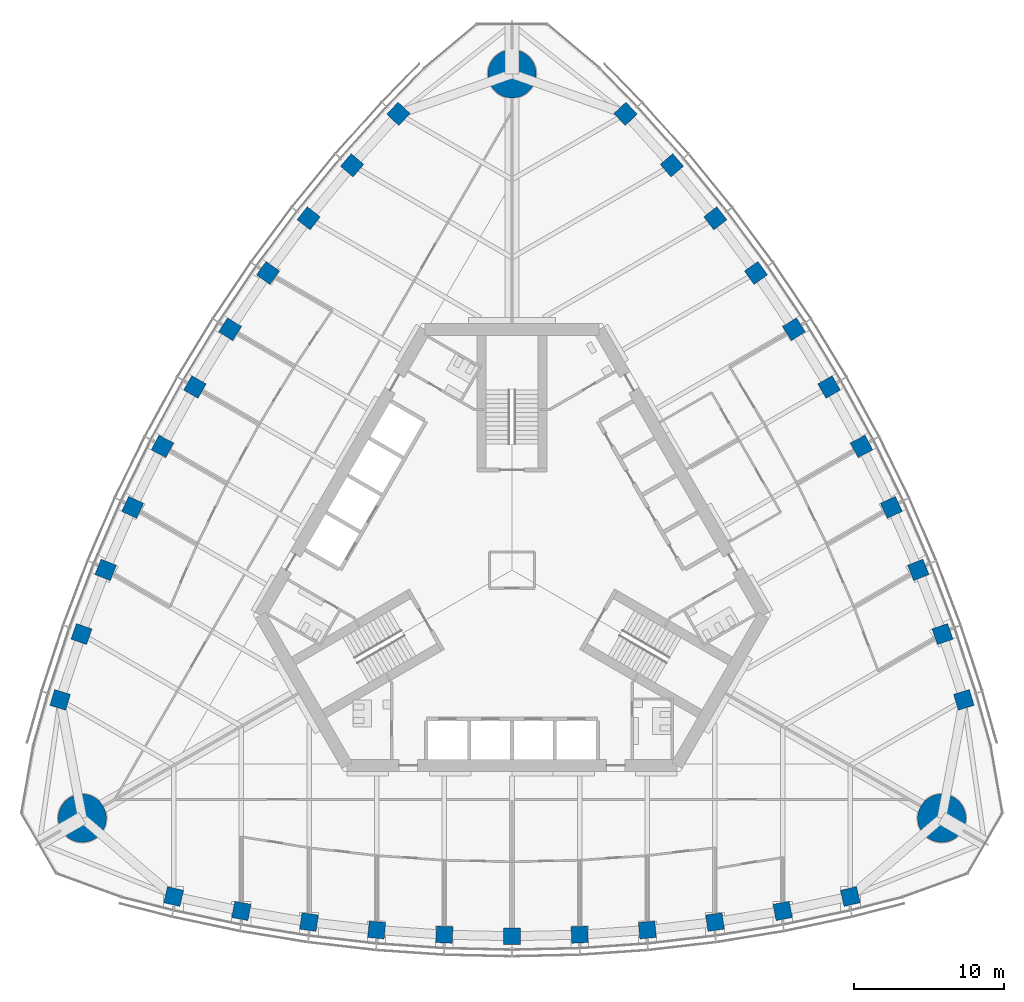
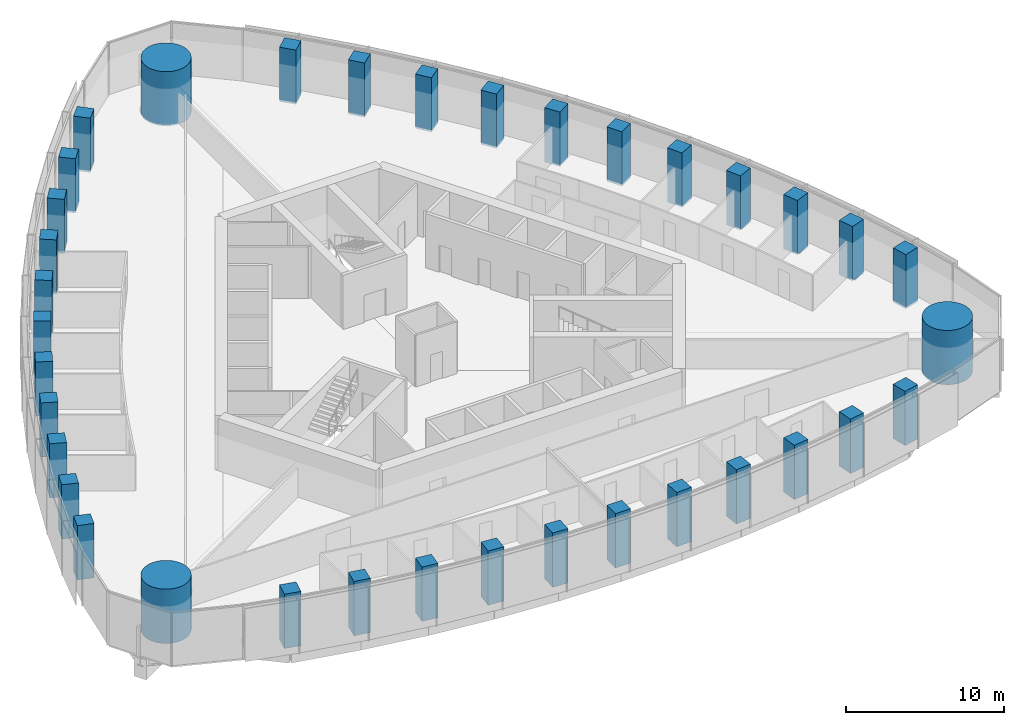
# One storey, part 1 of 20: 36 columns.
"""IFC4 building model written with IfcOpenShell, lengths in metres."""

import ifcopenshell
import ifcopenshell.guid

model = None  # the IFC model being written
_history = None  # IfcOwnerHistory: only IFC2X3 demands one
_inside = {}  # id of a spatial element -> (the spatial element, [elements in it])
_under = {}  # id of a project, library or spatial element -> (it, [spatial elements below it])
_declared = {}  # id of a project -> (the project, [libraries it declares])
_typed = {}  # id of a type object -> (the type object, [elements of that type])
_made_of = {}  # id of a material, layer set ... -> (it, [elements and type objects made of it])


def new_model(schema):
    """Start an empty IFC model of exactly this schema.

    Asked for "IFC4X3", IfcOpenShell would pick the latest addendum, in which some entities
    have other attributes; the version numbers below select the first issue.
    IFC2X3 requires an IfcOwnerHistory on every rooted entity: one is made here for all.
    """
    global model, _history
    if schema == "IFC4X3":
        model = ifcopenshell.file(schema_version=(4, 3, 0, 0))
    else:
        model = ifcopenshell.file(schema=schema)
    _inside.clear()
    _under.clear()
    _declared.clear()
    _typed.clear()
    _made_of.clear()
    _history = None
    if model.schema == "IFC2X3":
        org = make("IfcOrganization", Name="unknown")
        user = make(
            "IfcPersonAndOrganization",
            ThePerson=make("IfcPerson", FamilyName="unknown"),
            TheOrganization=org,
        )
        app = make(
            "IfcApplication",
            ApplicationDeveloper=org,
            Version="unknown",
            ApplicationFullName="unknown",
            ApplicationIdentifier="unknown",
        )
        _history = make(
            "IfcOwnerHistory",
            OwningUser=user,
            OwningApplication=app,
            ChangeAction="ADDED",
            CreationDate=0,
        )
    return model


def make(cls, **values):
    """One entity of the class cls with the attributes given. An attribute that is None is left unset."""
    return model.create_entity(
        cls, **{name: value for name, value in values.items() if value is not None}
    )


def rooted(cls, **values):
    """An entity with a GlobalId (a new one), such as an element, a storey or a relation."""
    return make(cls, GlobalId=ifcopenshell.guid.new(), OwnerHistory=_history, **values)


def si_unit(unit_type, name, prefix=None):
    """IfcSIUnit, for example si_unit("LENGTHUNIT", "METRE", prefix="MILLI")."""
    return make("IfcSIUnit", UnitType=unit_type, Prefix=prefix, Name=name)


def assignment(units):
    """IfcUnitAssignment: the units of a project."""
    return None if units is None else make("IfcUnitAssignment", Units=units)


def point(xyz):
    """IfcCartesianPoint."""
    return None if xyz is None else make("IfcCartesianPoint", Coordinates=xyz)


def direction(xyz):
    """IfcDirection."""
    return None if xyz is None else make("IfcDirection", DirectionRatios=xyz)


def frame(location, z_axis=None, x_axis=None):
    """IfcAxis2Placement3D, a coordinate frame: its origin and axes. An axis left out is left unset."""
    return make(
        "IfcAxis2Placement3D",
        Location=point(location),
        Axis=direction(z_axis),
        RefDirection=direction(x_axis),
    )


def frame_2d(location, x_axis=None):
    """IfcAxis2Placement2D, a coordinate frame in the plane: its origin and x axis."""
    return make(
        "IfcAxis2Placement2D", Location=point(location), RefDirection=direction(x_axis)
    )


def origin():
    """The frame at (0, 0, 0) with its axes left unset."""
    return frame((0.0, 0.0, 0.0))


def origin_2d():
    """The frame at (0, 0) in the plane with its x axis left unset."""
    return frame_2d((0.0, 0.0))


def place(relative_to, where):
    """IfcLocalPlacement: puts the frame where relative to a parent placement (None: the world)."""
    return make(
        "IfcLocalPlacement", PlacementRelTo=relative_to, RelativePlacement=where
    )


def context(
    kind, dimensions, precision=None, world=None, true_north=None, identifier=None
):
    """IfcGeometricRepresentationContext, for example the 3D "Model" context."""
    return make(
        "IfcGeometricRepresentationContext",
        ContextIdentifier=identifier,
        ContextType=kind,
        CoordinateSpaceDimension=dimensions,
        Precision=precision,
        WorldCoordinateSystem=world,
        TrueNorth=true_north,
    )


def subcontext(parent, identifier, kind, view, scale=None):
    """IfcGeometricRepresentationSubContext, for example "Body" below "Model"."""
    return make(
        "IfcGeometricRepresentationSubContext",
        ContextIdentifier=identifier,
        ContextType=kind,
        ParentContext=parent,
        TargetScale=scale,
        TargetView=view,
    )


def project(units=None, contexts=None):
    """IfcProject with its units and contexts."""
    return rooted(
        "IfcProject",
        Name="project",
        RepresentationContexts=contexts,
        UnitsInContext=assignment(units),
    )


def spatial(cls, under=None, at=None, **own):
    """A site, building, storey or space (cls), placed at a placement, below another one or the project."""
    s = rooted(cls, ObjectPlacement=at, **own)
    if under is not None:
        _under.setdefault(under.id(), (under, []))[1].append(s)
    return s


def profile(cls, at=None, kind="AREA", **sizes):
    """A parametric profile (cls). Its sizes go by their IFC names, for example OverallWidth=200.0."""
    return make(cls, ProfileType=kind, Position=at, **sizes)


def rectangle(**sizes):
    """IfcRectangleProfileDef."""
    return profile("IfcRectangleProfileDef", **sizes)


def circle(**sizes):
    """IfcCircleProfileDef."""
    return profile("IfcCircleProfileDef", **sizes)


def extrude(swept, where, along, depth):
    """IfcExtrudedAreaSolid: the profile swept, set in the frame where, extruded along a direction by depth."""
    return make(
        "IfcExtrudedAreaSolid",
        SweptArea=swept,
        Position=where,
        ExtrudedDirection=direction(along),
        Depth=depth,
    )


def shape(context_of_items, identifier, shape_type, items):
    """IfcShapeRepresentation: the items that make up one representation, for example the "Body"."""
    return make(
        "IfcShapeRepresentation",
        ContextOfItems=context_of_items,
        RepresentationIdentifier=identifier,
        RepresentationType=shape_type,
        Items=items,
    )


def material(Name=None, Category=None):
    """IfcMaterial."""
    return make("IfcMaterial", Name=Name, Category=Category)


def material_profile(
    of_material, cross_section, Name=None, Category=None, Priority=None
):
    """IfcMaterialProfile: a cross section and its material."""
    return make(
        "IfcMaterialProfile",
        Name=Name,
        Material=of_material,
        Profile=cross_section,
        Priority=Priority,
        Category=Category,
    )


def profile_set(profiles, Name=None, composite=None):
    """IfcMaterialProfileSet."""
    return make(
        "IfcMaterialProfileSet",
        Name=Name,
        MaterialProfiles=profiles,
        CompositeProfile=composite,
    )


def made_of(thing, what):
    """Note that an element or type object is made of a material, layer set ...; save() writes the relation."""
    if what is not None:
        _made_of.setdefault(what.id(), (what, []))[1].append(thing)
    return thing


def type_object(cls, material=None, **own):
    """A type object (cls), such as IfcWallType, which elements share."""
    return made_of(rooted(cls, **own), material)


def element(
    cls,
    number,
    at=None,
    inside=None,
    cuts=None,
    type_object=None,
    material=None,
    context=None,
    identifier="Body",
    shape_type=None,
    held_by="IfcProductDefinitionShape",
    body=None,
    shapes=None,
    **own,
):
    """One element of the class cls, such as IfcWall. Its Tag is "e" and its number.

    at: its placement. inside: the storey or other place that contains it. cuts: it is an
    opening in that element (IfcRelVoidsElement). A single representation is given by context,
    identifier, shape_type and body (its items); several are given by shapes. held_by: the class
    of the entity that holds the representations. save() writes the other relations.
    """
    e = rooted(cls, Tag="e%d" % number, ObjectPlacement=at, **own)
    if body is not None:
        shapes = [shape(context, identifier, shape_type, body)]
    if shapes is not None:
        e.Representation = make(held_by, Representations=shapes)
    if inside is not None:
        _inside.setdefault(inside.id(), (inside, []))[1].append(e)
    if cuts is not None:
        rooted(
            "IfcRelVoidsElement", RelatingBuildingElement=cuts, RelatedOpeningElement=e
        )
    if type_object is not None:
        _typed.setdefault(type_object.id(), (type_object, []))[1].append(e)
    return made_of(e, material)


def aggregate(whole, parts):
    """IfcRelAggregates: a whole, such as a stair, and the parts it consists of."""
    return rooted("IfcRelAggregates", RelatingObject=whole, RelatedObjects=parts)


def save(model, path):
    """Write the relations noted so far, then the file.

    IfcRelAggregates (storeys below a building ...), IfcRelContainedInSpatialStructure (elements
    in a storey), IfcRelDefinesByType, IfcRelAssociatesMaterial and IfcRelDeclares: one each for
    every whole, place, type object, material and project.
    """
    for whole, parts in _under.values():
        aggregate(whole, parts)
    for where, things in _inside.values():
        rooted(
            "IfcRelContainedInSpatialStructure",
            RelatedElements=things,
            RelatingStructure=where,
        )
    for kind, things in _typed.values():
        rooted("IfcRelDefinesByType", RelatedObjects=things, RelatingType=kind)
    for what, things in _made_of.values():
        rooted("IfcRelAssociatesMaterial", RelatedObjects=things, RelatingMaterial=what)
    for by, libraries in _declared.values():
        rooted("IfcRelDeclares", RelatingContext=by, RelatedDefinitions=libraries)
    model.write(path)


model = new_model("IFC4")

# Units and contexts
model_context = context("Model", 3, precision=1e-05, world=origin(), true_north=direction((0.0, 1.0)))
body_context = subcontext(model_context, "Body", "Model", "MODEL_VIEW")
ifc_project = project(units=[si_unit("LENGTHUNIT", "METRE"), si_unit("AREAUNIT", "SQUARE_METRE"), si_unit("VOLUMEUNIT", "CUBIC_METRE"), si_unit("PLANEANGLEUNIT", "RADIAN"), si_unit("MASSUNIT", "GRAM", prefix="KILO")], contexts=[model_context])

# Site, building, storey
site_placement = place(None, origin())
site = spatial("IfcSite", under=ifc_project, at=site_placement, CompositionType="ELEMENT")
building_placement = place(site_placement, origin())
building = spatial("IfcBuilding", under=site, at=building_placement, Name="Trefoil Bronze Tower", CompositionType="ELEMENT")
storey_placement = place(building_placement, frame((0.0, 0.0, 214.89990234375)))
storey = spatial("IfcBuildingStorey", under=building, at=storey_placement, Name="L49", CompositionType="ELEMENT", Elevation=214.89990234375)

# Columns
ifc_material_1 = material(Name="Concrete B80", Category="concrete")
ifc_material_profile_1 = material_profile(ifc_material_1, circle(Radius=1.60009765625, at=origin_2d()), Name="RC D3200")
ifc_profile_set_1 = profile_set([ifc_material_profile_1], Name="Concrete B80")
column_type_1 = type_object("IfcColumnType", Name="Mega column RC D3200", PredefinedType="COLUMN", material=ifc_profile_set_1)
for number, where, z_axis, x_axis, name in (
    (1, (28.578857421875, -16.5, 0.0), (0.0, 0.0, 1.0), (1.0, 0.0, 0.0), "Mega column K1 L49"),
    (2, (0.0, 33.0, 0.0), (0.0, 0.0, 1.0), (1.0, 0.0, 0.0), "Mega column K2 L49"),
    (3, (-28.578857421875, -16.5, 0.0), (0.0, 0.0, 1.0), (1.0, 0.0, 0.0), "Mega column K3 L49"),
):
    element("IfcColumn", number, at=place(storey_placement, frame(where, z_axis=z_axis, x_axis=x_axis)), inside=storey, type_object=column_type_1, Name=name, PredefinedType="COLUMN", context=body_context, shape_type="SweptSolid", body=[
        extrude(circle(Radius=1.60009765625, at=origin_2d()), origin(), (0.0, 0.0, 1.0), 4.2001953125),
    ])
ifc_material_2 = material(Name="Concrete B80", Category="concrete")
ifc_material_profile_2 = material_profile(ifc_material_2, rectangle(XDim=1.10009765625, YDim=1.10009765625, at=origin_2d()), Name="RC 1100x1100")
ifc_profile_set_2 = profile_set([ifc_material_profile_2], Name="Concrete B80")
column_type_2 = type_object("IfcColumnType", Name="Tube column RC 1100x1100", PredefinedType="COLUMN", material=ifc_profile_set_2)
for number, where, z_axis, x_axis, name in (
    (4, (-22.5, -21.71044921875, 0.0), (0.0, 0.0, 1.0), (0.973875487093, -0.227082662569, 0.0), "Tube column F1/-5 L49"),
    (5, (-18.0, -22.6689453125, 0.0), (0.0, 0.0, 1.0), (0.982958917767, -0.183825368167, 0.0), "Tube column F1/-4 L49"),
    (6, (-13.5, -23.408447265625, 0.0), (0.0, 0.0, 1.0), (0.990450627582, -0.137867887204, 0.0), "Tube column F1/-3 L49"),
    (7, (-9.0, -23.932861328125, 0.0), (0.0, 0.0, 1.0), (0.995767189263, -0.091911396394, 0.0), "Tube column F1/-2 L49"),
    (8, (-4.5, -24.246337890625, 0.0), (0.0, 0.0, 1.0), (0.998943485952, -0.045955542372, 0.0), "Tube column F1/-1 L49"),
    (9, (0.0, -24.3505859375, 0.0), (0.0, 0.0, 1.0), (1.0, 0.0, 0.0), "Tube column F1/+0 L49"),
    (10, (4.5, -24.246337890625, 0.0), (0.0, 0.0, 1.0), (0.998943485952, 0.045955542372, 0.0), "Tube column F1/+1 L49"),
    (11, (9.0, -23.932861328125, 0.0), (0.0, 0.0, 1.0), (0.995767189263, 0.091911396394, 0.0), "Tube column F1/+2 L49"),
    (12, (13.5, -23.408447265625, 0.0), (0.0, 0.0, 1.0), (0.990450627582, 0.137867887204, 0.0), "Tube column F1/+3 L49"),
    (13, (18.0, -22.6689453125, 0.0), (0.0, 0.0, 1.0), (0.982958917767, 0.183825368167, 0.0), "Tube column F1/+4 L49"),
    (14, (22.5, -21.71044921875, 0.0), (0.0, 0.0, 1.0), (0.973875487093, 0.227082662569, 0.0), "Tube column F1/+5 L49"),
    (15, (30.052001953125, -8.63037109375, 0.0), (0.0, 0.0, 1.0), (-0.290278389002, 0.95694224323, 0.0), "Tube column F2/-5 L49"),
    (16, (28.632080078125, -4.25390625, 0.0), (0.0, 0.0, 1.0), (-0.332282020191, 0.943180077746, 0.0), "Tube column F2/-4 L49"),
    (17, (27.022216796875, 0.012939453125, 0.0), (0.0, 0.0, 1.0), (-0.375828221106, 0.926689348282, 0.0), "Tube column F2/-3 L49"),
    (18, (25.2265625, 4.17236328125, 0.0), (0.0, 0.0, 1.0), (-0.418285990457, 0.908315380354, 0.0), "Tube column F2/-2 L49"),
    (19, (23.248046875, 8.22607421875, 0.0), (0.0, 0.0, 1.0), (-0.459673075837, 0.888088206965, 0.0), "Tube column F2/-1 L49"),
    (20, (21.08837890625, 12.17529296875, 0.0), (0.0, 0.0, 1.0), (-0.5, 0.866025403784, 0.0), "Tube column F2/+0 L49"),
    (21, (18.748046875, 16.020263671875, 0.0), (0.0, 0.0, 1.0), (-0.539270410114, 0.842132664593, 0.0), "Tube column F2/+1 L49"),
    (22, (16.2265625, 19.7607421875, 0.0), (0.0, 0.0, 1.0), (-0.577481198806, 0.81640398396, 0.0), "Tube column F2/+2 L49"),
    (23, (13.522216796875, 23.3955078125, 0.0), (0.0, 0.0, 1.0), (-0.614622406476, 0.788821461078, 0.0), "Tube column F2/+3 L49"),
    (24, (10.632080078125, 26.923095703125, 0.0), (0.0, 0.0, 1.0), (-0.650676897576, 0.75935470958, 0.0), "Tube column F2/+4 L49"),
    (25, (7.552001953125, 30.3408203125, 0.0), (0.0, 0.0, 1.0), (-0.683597098091, 0.729859580661, 0.0), "Tube column F2/+5 L49"),
    (26, (-7.552001953125, 30.3408203125, 0.0), (0.0, 0.0, 1.0), (-0.683597098091, -0.729859580661, 0.0), "Tube column F3/-5 L49"),
    (27, (-10.632080078125, 26.923095703125, 0.0), (0.0, 0.0, 1.0), (-0.650676897576, -0.75935470958, 0.0), "Tube column F3/-4 L49"),
    (28, (-13.522216796875, 23.3955078125, 0.0), (0.0, 0.0, 1.0), (-0.614622406476, -0.788821461078, 0.0), "Tube column F3/-3 L49"),
    (29, (-16.2265625, 19.7607421875, 0.0), (0.0, 0.0, 1.0), (-0.577481198806, -0.81640398396, 0.0), "Tube column F3/-2 L49"),
    (30, (-18.748046875, 16.020263671875, 0.0), (0.0, 0.0, 1.0), (-0.539270410114, -0.842132664593, 0.0), "Tube column F3/-1 L49"),
    (31, (-21.08837890625, 12.17529296875, 0.0), (0.0, 0.0, 1.0), (-0.5, -0.866025403784, 0.0), "Tube column F3/+0 L49"),
    (32, (-23.248046875, 8.22607421875, 0.0), (0.0, 0.0, 1.0), (-0.459673075837, -0.888088206965, 0.0), "Tube column F3/+1 L49"),
    (33, (-25.2265625, 4.17236328125, 0.0), (0.0, 0.0, 1.0), (-0.418285990457, -0.908315380354, 0.0), "Tube column F3/+2 L49"),
    (34, (-27.022216796875, 0.012939453125, 0.0), (0.0, 0.0, 1.0), (-0.375828221106, -0.926689348282, 0.0), "Tube column F3/+3 L49"),
    (35, (-28.632080078125, -4.25390625, 0.0), (0.0, 0.0, 1.0), (-0.332282020191, -0.943180077746, 0.0), "Tube column F3/+4 L49"),
    (36, (-30.052001953125, -8.63037109375, 0.0), (0.0, 0.0, 1.0), (-0.290278389002, -0.95694224323, 0.0), "Tube column F3/+5 L49"),
):
    element("IfcColumn", number, at=place(storey_placement, frame(where, z_axis=z_axis, x_axis=x_axis)), inside=storey, type_object=column_type_2, Name=name, PredefinedType="COLUMN", context=body_context, shape_type="SweptSolid", body=[
        extrude(rectangle(XDim=1.10009765625, YDim=1.10009765625, at=origin_2d()), origin(), (0.0, 0.0, 1.0), 4.2001953125),
    ])

save(model, "model.ifc")
